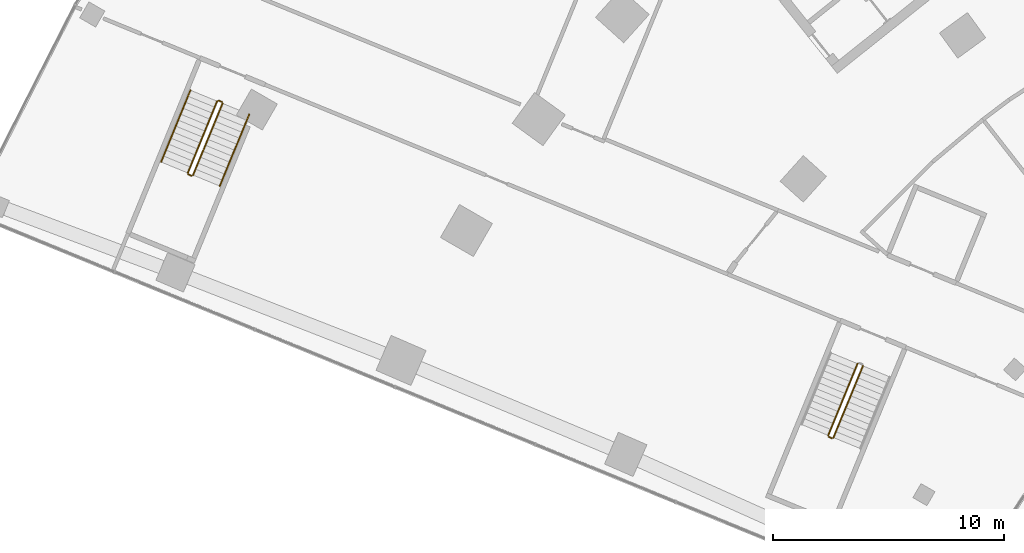
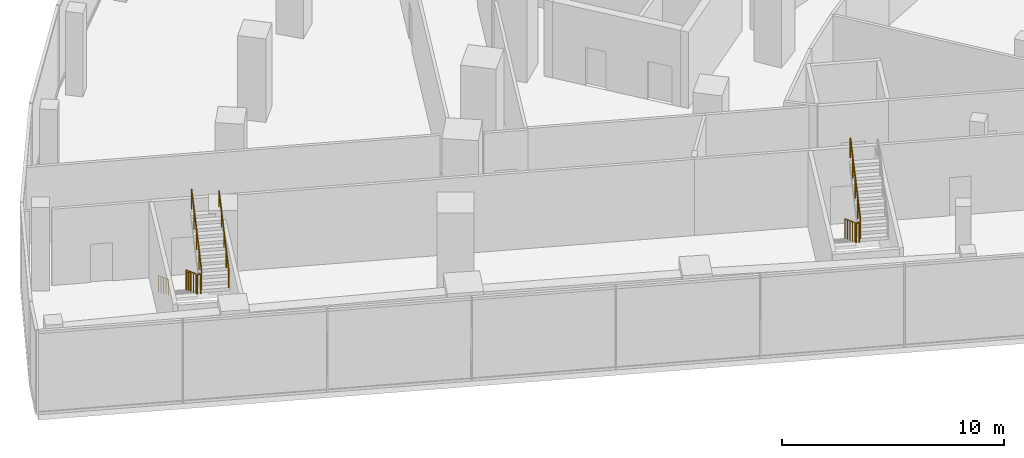
# One storey, part 32 of 39: 9 railings.
"""IFC4 building model written with IfcOpenShell, lengths in metres."""

from ifc_helpers import new_model, si_unit, direction, frame, origin, origin_2d, place, context, subcontext, project, spatial, circle, extrude, material, type_object, element, save


model = new_model("IFC4")

# Units and contexts
model_context = context("Model", 3, precision=1e-05, world=origin(), true_north=direction((0.0, 1.0)))
body_context = subcontext(model_context, "Body", "Model", "MODEL_VIEW")
ifc_project = project(units=[si_unit("LENGTHUNIT", "METRE"), si_unit("AREAUNIT", "SQUARE_METRE"), si_unit("VOLUMEUNIT", "CUBIC_METRE"), si_unit("PLANEANGLEUNIT", "RADIAN"), si_unit("MASSUNIT", "GRAM", prefix="KILO")], contexts=[model_context])

# Site, building, storey
site_placement = place(None, origin())
site = spatial("IfcSite", under=ifc_project, at=site_placement, CompositionType="ELEMENT")
building_placement = place(site_placement, origin())
building = spatial("IfcBuilding", under=site, at=building_placement, Name="Stone Belt Terrace Tower", CompositionType="ELEMENT")
storey_placement = place(building_placement, frame((0.0, 0.0, 20.800048828125)))
storey = spatial("IfcBuildingStorey", under=building, at=storey_placement, Name="L04", CompositionType="ELEMENT", Elevation=20.800048828125)

# Railings
ifc_material_1 = material(Name="Steel balustrade", Category="steel")
railing_type_1 = type_object("IfcRailingType", Name="Podium stair guard", PredefinedType="GUARDRAIL", material=ifc_material_1)
railing_1_placement = place(storey_placement, frame((-30.6767578125, 21.72705078125, 0.1767578125)))
element("IfcRailing", 1, at=railing_1_placement, inside=storey, type_object=railing_type_1, Name="L04 PS1 stair guard 1", PredefinedType="GUARDRAIL", context=body_context, shape_type="SweptSolid", body=[
    extrude(circle(Radius=0.02392578125, at=origin_2d()), frame((0.0, 0.0, 1.076171875), z_axis=(-0.320637269104, -0.782182947274, 0.534211174214), x_axis=(0.925275877227, -0.379294807533, 0.0)), (0.0, 0.0, 1.0), 3.974609375),
    extrude(circle(Radius=0.02099609375, at=origin_2d()), origin(), (0.0, 0.0, 1.0), 1.052001953125),
    extrude(circle(Radius=0.02099609375, at=origin_2d()), frame((-0.318603515625, -0.77734375, 0.53076171875)), (0.0, 0.0, 1.0), 1.052001953125),
    extrude(circle(Radius=0.02099609375, at=origin_2d()), frame((-0.63720703125, -1.554443359375, 1.0615234375)), (0.0, 0.0, 1.0), 1.052001953125),
    extrude(circle(Radius=0.02099609375, at=origin_2d()), frame((-0.955810546875, -2.33154296875, 1.592529296875)), (0.0, 0.0, 1.0), 1.052001953125),
    extrude(circle(Radius=0.02099609375, at=origin_2d()), frame((-1.2744140625, -3.10888671875, 2.123291015625)), (0.0, 0.0, 1.0), 1.052001953125),
])
railing_2_placement = place(storey_placement, frame((-31.923828125, 18.552734375, 2.300048828125)))
element("IfcRailing", 2, at=railing_2_placement, inside=storey, type_object=railing_type_1, Name="L04 PS1 stair guard 2", PredefinedType="GUARDRAIL", context=body_context, shape_type="SweptSolid", body=[
    extrude(circle(Radius=0.02392578125, at=origin_2d()), frame((0.0, 0.0, 1.076171875), z_axis=(0.925417366351, -0.378949466362, 0.0), x_axis=(0.378949466362, 0.925417366351, 0.0)), (0.0, 0.0, 1.0), 0.150146484375),
    extrude(circle(Radius=0.02099609375, at=origin_2d()), origin(), (0.0, 0.0, 1.0), 1.052001953125),
    extrude(circle(Radius=0.02099609375, at=origin_2d()), frame((0.138916015625, -0.056884765625, 0.0)), (0.0, 0.0, 1.0), 1.052001953125),
])
railing_3_placement = place(storey_placement, frame((-31.7197265625, 18.523193359375, 2.476806640625)))
element("IfcRailing", 3, at=railing_3_placement, inside=storey, type_object=railing_type_1, Name="L04 PS1 stair guard 3", PredefinedType="GUARDRAIL", context=body_context, shape_type="SweptSolid", body=[
    extrude(circle(Radius=0.02392578125, at=origin_2d()), frame((0.0, 0.0, 1.076171875), z_axis=(0.320577273413, 0.782247859152, 0.534152130599), x_axis=(-0.92531182595, 0.379207100089, 0.0)), (0.0, 0.0, 1.0), 3.974609375),
    extrude(circle(Radius=0.02099609375, at=origin_2d()), origin(), (0.0, 0.0, 1.0), 1.052001953125),
    extrude(circle(Radius=0.02099609375, at=origin_2d()), frame((0.318603515625, 0.77734375, 0.53076171875)), (0.0, 0.0, 1.0), 1.052001953125),
    extrude(circle(Radius=0.02099609375, at=origin_2d()), frame((0.63720703125, 1.5546875, 1.0615234375)), (0.0, 0.0, 1.0), 1.052001953125),
    extrude(circle(Radius=0.02099609375, at=origin_2d()), frame((0.95556640625, 2.331787109375, 1.59228515625)), (0.0, 0.0, 1.0), 1.052001953125),
    extrude(circle(Radius=0.02099609375, at=origin_2d()), frame((1.274169921875, 3.109130859375, 2.123046875)), (0.0, 0.0, 1.0), 1.052001953125),
])
railing_4_placement = place(storey_placement, frame((-58.435791015625, 33.104248046875, 0.1767578125)))
element("IfcRailing", 4, at=railing_4_placement, inside=storey, type_object=railing_type_1, Name="L04 PS2 stair guard 1", PredefinedType="GUARDRAIL", context=body_context, shape_type="SweptSolid", body=[
    extrude(circle(Radius=0.02392578125, at=origin_2d()), frame((0.0, 0.0, 1.076171875), z_axis=(-0.320582157685, -0.7821983514, 0.534221694843), x_axis=(0.925301376681, -0.379232596584, 0.0)), (0.0, 0.0, 1.0), 3.974609375),
    extrude(circle(Radius=0.02099609375, at=origin_2d()), origin(), (0.0, 0.0, 1.0), 1.052001953125),
    extrude(circle(Radius=0.02099609375, at=origin_2d()), frame((-0.318603515625, -0.77734375, 0.53076171875)), (0.0, 0.0, 1.0), 1.052001953125),
    extrude(circle(Radius=0.02099609375, at=origin_2d()), frame((-0.63720703125, -1.554443359375, 1.0615234375)), (0.0, 0.0, 1.0), 1.052001953125),
    extrude(circle(Radius=0.02099609375, at=origin_2d()), frame((-0.95556640625, -2.33154296875, 1.592529296875)), (0.0, 0.0, 1.0), 1.052001953125),
    extrude(circle(Radius=0.02099609375, at=origin_2d()), frame((-1.274169921875, -3.10888671875, 2.123291015625)), (0.0, 0.0, 1.0), 1.052001953125),
])
railing_5_placement = place(storey_placement, frame((-59.6826171875, 29.93017578125, 2.300048828125)))
element("IfcRailing", 5, at=railing_5_placement, inside=storey, type_object=railing_type_1, Name="L04 PS2 stair guard 2", PredefinedType="GUARDRAIL", context=body_context, shape_type="SweptSolid", body=[
    extrude(circle(Radius=0.02392578125, at=origin_2d()), frame((0.0, 0.0, 1.076171875), z_axis=(0.925183283695, -0.379520607572, 0.0), x_axis=(0.379520607572, 0.925183283695, 0.0)), (0.0, 0.0, 1.0), 0.14990234375),
    extrude(circle(Radius=0.02099609375, at=origin_2d()), origin(), (0.0, 0.0, 1.0), 1.052001953125),
    extrude(circle(Radius=0.02099609375, at=origin_2d()), frame((0.138671875, -0.056884765625, 0.0)), (0.0, 0.0, 1.0), 1.052001953125),
])
railing_6_placement = place(storey_placement, frame((-59.478759765625, 29.900634765625, 2.476806640625)))
element("IfcRailing", 6, at=railing_6_placement, inside=storey, type_object=railing_type_1, Name="L04 PS2 stair guard 3", PredefinedType="GUARDRAIL", context=body_context, shape_type="SweptSolid", body=[
    extrude(circle(Radius=0.02392578125, at=origin_2d()), frame((0.0, 0.0, 1.076171875), z_axis=(0.320647790343, 0.782208613453, 0.534167276785), x_axis=(-0.925275877227, 0.379294807533, 0.0)), (0.0, 0.0, 1.0), 3.974609375),
    extrude(circle(Radius=0.02099609375, at=origin_2d()), origin(), (0.0, 0.0, 1.0), 1.052001953125),
    extrude(circle(Radius=0.02099609375, at=origin_2d()), frame((0.318603515625, 0.77734375, 0.53076171875)), (0.0, 0.0, 1.0), 1.052001953125),
    extrude(circle(Radius=0.02099609375, at=origin_2d()), frame((0.63720703125, 1.554443359375, 1.0615234375)), (0.0, 0.0, 1.0), 1.052001953125),
    extrude(circle(Radius=0.02099609375, at=origin_2d()), frame((0.955810546875, 2.33154296875, 1.59228515625)), (0.0, 0.0, 1.0), 1.052001953125),
    extrude(circle(Radius=0.02099609375, at=origin_2d()), frame((1.2744140625, 3.10888671875, 2.123046875)), (0.0, 0.0, 1.0), 1.052001953125),
])
railing_7_placement = place(storey_placement, frame((-58.37060546875, 33.131591796875, 0.0)))
element("IfcRailing", 7, at=railing_7_placement, inside=storey, type_object=railing_type_1, Name="L04 PS2 stair guard 4", PredefinedType="GUARDRAIL", context=body_context, shape_type="SweptSolid", body=[
    extrude(circle(Radius=0.02392578125, at=origin_2d()), frame((0.0, 0.0, 1.076171875), z_axis=(0.925417366351, -0.378949466362, 0.0), x_axis=(0.378949466362, 0.925417366351, 0.0)), (0.0, 0.0, 1.0), 0.150146484375),
    extrude(circle(Radius=0.02099609375, at=origin_2d()), origin(), (0.0, 0.0, 1.0), 1.052001953125),
    extrude(circle(Radius=0.02099609375, at=origin_2d()), frame((0.138916015625, -0.056884765625, 0.0)), (0.0, 0.0, 1.0), 1.052001953125),
])
ifc_material_2 = material(Name="Stainless steel handrail", Category="steel")
railing_type_2 = type_object("IfcRailingType", Name="Podium stair handrail", PredefinedType="HANDRAIL", material=ifc_material_2)
railing_8_placement = place(storey_placement, frame((-59.59228515625, 33.578369140625, 0.1767578125)))
element("IfcRailing", 8, at=railing_8_placement, inside=storey, type_object=railing_type_2, Name="L04 PS2 stair handrail 1", PredefinedType="HANDRAIL", context=body_context, shape_type="SweptSolid", body=[
    extrude(circle(Radius=0.02392578125, at=origin_2d()), frame((0.0, 0.0, 0.8759765625), z_axis=(-0.320637269104, -0.782182947274, 0.534211174214), x_axis=(0.925275877227, -0.379294807533, 0.0)), (0.0, 0.0, 1.0), 3.974609375),
    extrude(circle(Radius=0.02099609375, at=origin_2d()), origin(), (0.0, 0.0, 1.0), 0.851806640625),
    extrude(circle(Radius=0.02099609375, at=origin_2d()), frame((-0.318603515625, -0.77734375, 0.53076171875)), (0.0, 0.0, 1.0), 0.851806640625),
    extrude(circle(Radius=0.02099609375, at=origin_2d()), frame((-0.63720703125, -1.554443359375, 1.0615234375)), (0.0, 0.0, 1.0), 0.851806640625),
    extrude(circle(Radius=0.02099609375, at=origin_2d()), frame((-0.955810546875, -2.33154296875, 1.592529296875)), (0.0, 0.0, 1.0), 0.851806640625),
    extrude(circle(Radius=0.02099609375, at=origin_2d()), frame((-1.2744140625, -3.10888671875, 2.123291015625)), (0.0, 0.0, 1.0), 0.851806640625),
])
railing_9_placement = place(storey_placement, frame((-58.322021484375, 29.426513671875, 2.476806640625)))
element("IfcRailing", 9, at=railing_9_placement, inside=storey, type_object=railing_type_2, Name="L04 PS2 stair handrail 2", PredefinedType="HANDRAIL", context=body_context, shape_type="SweptSolid", body=[
    extrude(circle(Radius=0.02392578125, at=origin_2d()), frame((0.0, 0.0, 0.8759765625), z_axis=(0.320592677529, 0.782224019096, 0.53417779724), x_axis=(-0.925301376681, 0.379232596584, 0.0)), (0.0, 0.0, 1.0), 3.974365234375),
    extrude(circle(Radius=0.02099609375, at=origin_2d()), origin(), (0.0, 0.0, 1.0), 0.851806640625),
    extrude(circle(Radius=0.02099609375, at=origin_2d()), frame((0.318603515625, 0.77734375, 0.53076171875)), (0.0, 0.0, 1.0), 0.851806640625),
    extrude(circle(Radius=0.02099609375, at=origin_2d()), frame((0.63720703125, 1.554443359375, 1.0615234375)), (0.0, 0.0, 1.0), 0.851806640625),
    extrude(circle(Radius=0.02099609375, at=origin_2d()), frame((0.95556640625, 2.33154296875, 1.59228515625)), (0.0, 0.0, 1.0), 0.851806640625),
    extrude(circle(Radius=0.02099609375, at=origin_2d()), frame((1.274169921875, 3.10888671875, 2.123046875)), (0.0, 0.0, 1.0), 0.851806640625),
])

save(model, "model.ifc")
